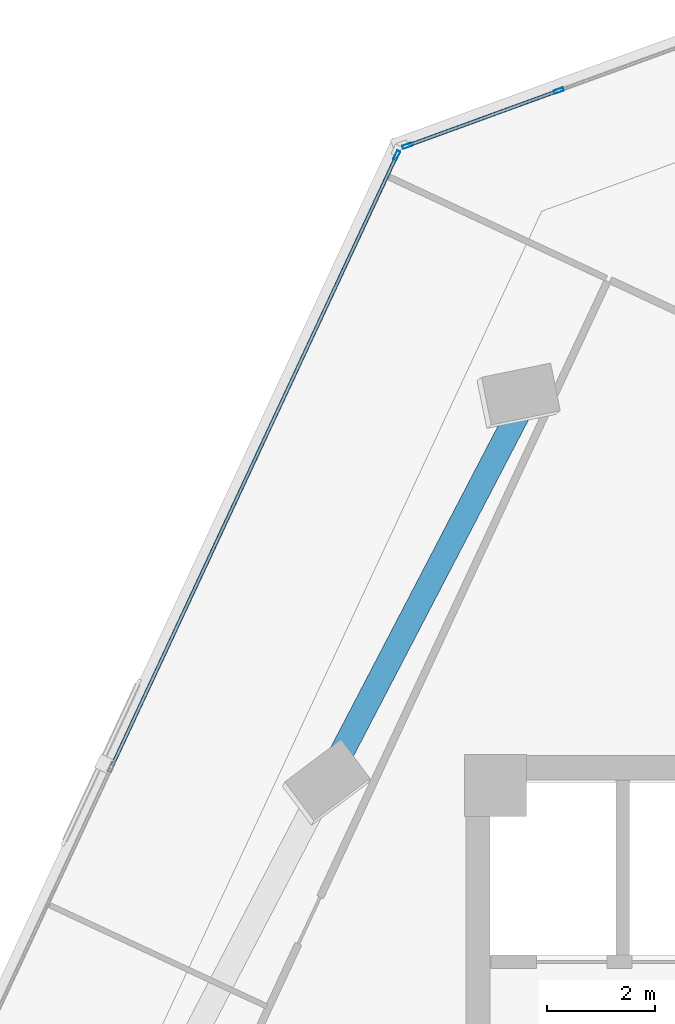
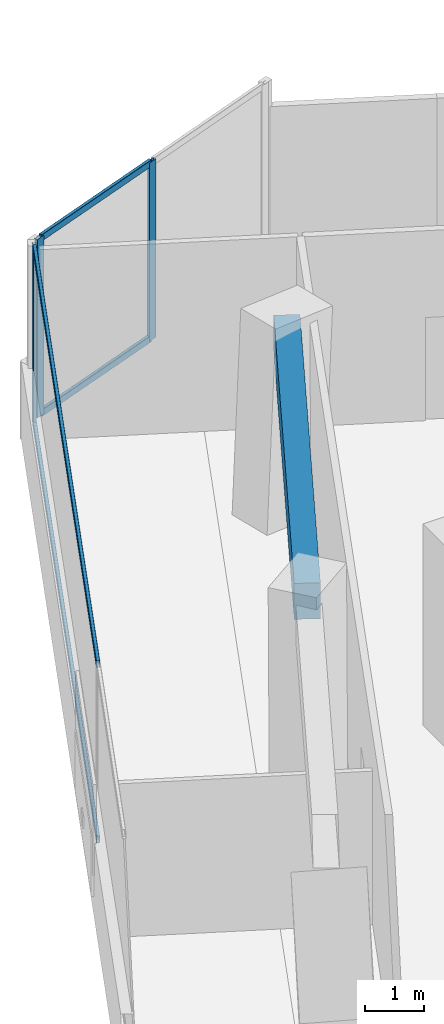
# One storey, part 11 of 21: 7 members, 1 beam, 2 elements without a shape of their own.
"""IFC4 building model written with IfcOpenShell, lengths in metres."""

from ifc_helpers import new_model, si_unit, direction, frame, origin, origin_2d, place, context, subcontext, project, spatial, rectangle, hollow_rectangle, extrude, source, transform, mapped, material, material_profile, profile_set, type_object, element, aggregate, save


model = new_model("IFC4")

# Units and contexts
model_context = context("Model", 3, precision=1e-05, world=origin(), true_north=direction((0.0, 1.0)))
body_context = subcontext(model_context, "Body", "Model", "MODEL_VIEW")
ifc_project = project(units=[si_unit("LENGTHUNIT", "METRE"), si_unit("AREAUNIT", "SQUARE_METRE"), si_unit("VOLUMEUNIT", "CUBIC_METRE"), si_unit("PLANEANGLEUNIT", "RADIAN"), si_unit("MASSUNIT", "GRAM", prefix="KILO")], contexts=[model_context])

# Site, building, storey
site_placement = place(None, origin())
site = spatial("IfcSite", under=ifc_project, at=site_placement, CompositionType="ELEMENT")
building_placement = place(site_placement, origin())
building = spatial("IfcBuilding", under=site, at=building_placement, Name="Torre Montelarca", CompositionType="ELEMENT")
storey_placement = place(building_placement, frame((0.0, 0.0, 162.39990234375)))
storey = spatial("IfcBuildingStorey", under=building, at=storey_placement, Name="L36", CompositionType="ELEMENT", Elevation=162.39990234375)

# Beam
ifc_material_1 = material(Name="Concrete C55/67", Category="concrete")
ifc_material_profile_1 = material_profile(ifc_material_1, rectangle(XDim=0.449951171875, YDim=0.75, at=origin_2d()), Name="RCB450X750", Category="concrete")
ifc_profile_set_1 = profile_set([ifc_material_profile_1], Name="Concrete C55/67")
beam_type = type_object("IfcBeamType", Name="BM-SP-RC750-EXT", PredefinedType="SPANDREL", material=ifc_profile_set_1)
shared_shape_1 = source(origin(), body_context, "Body", "SweptSolid", [
    extrude(rectangle(XDim=0.449951171875, YDim=0.75, at=origin_2d()), origin(), (0.0, 0.0, 1.0), 8.0),
])
beam_placement = place(storey_placement, frame((6.553955078125, 39.780517578125, 3.585205078125), z_axis=(0.461729359084, 0.887020855989, 0.0), x_axis=(-0.887020855989, 0.461729359084, 0.0)))
element("IfcBeam", 1, at=beam_placement, inside=storey, type_object=beam_type, Name="L36 Grid Girder Y 32.0-40.0 at X=4.7", PredefinedType="SPANDREL", context=body_context, shape_type="MappedRepresentation", body=[
    mapped(shared_shape_1, transform((0.0, 0.0, 0.0), scale=1.0)),
])

# Curtain wall, members
ifc_material_2 = material(Name="Insulated low-E laminated glass", Category="glass")
curtain_wall_type = type_object("IfcCurtainWallType", Name="CW-SYS-Z2", PredefinedType="USERDEFINED", material=ifc_material_2)
curtain_wall_1_placement = place(storey_placement, origin())
curtain_wall_1 = element("IfcCurtainWall", 2, at=curtain_wall_1_placement, inside=storey, type_object=curtain_wall_type, Name="L36 Curtain Wall Run CW-T3-L36-E09-B1", ObjectType="UNITISED GLAZING", PredefinedType="USERDEFINED")
ifc_material_3 = material(Name="Anodised aluminium AA 6063-T6", Category="aluminium")
ifc_material_profile_2 = material_profile(ifc_material_3, hollow_rectangle(XDim=0.06494140625, YDim=0.139892578125, WallThickness=0.00390625, InnerFilletRadius=0.00390625, OuterFilletRadius=0.008056640625, at=origin_2d()), Name="ALU65X140X4", Category="aluminium")
ifc_profile_set_2 = profile_set([ifc_material_profile_2], Name="Anodised aluminium AA 6063-T6")
member_type_1 = type_object("IfcMemberType", Name="CWT-ALU140", PredefinedType="USERDEFINED", material=ifc_profile_set_2)
shared_shape_2 = source(origin(), body_context, "Body", "SweptSolid", [
    extrude(hollow_rectangle(XDim=0.06494140625, YDim=0.139892578125, WallThickness=0.00390625, InnerFilletRadius=0.00390625, OuterFilletRadius=0.008056640625, at=origin_2d()), origin(), (0.0, 0.0, 1.0), 2.91845703125),
])
member_1_placement = place(storey_placement, frame((10.68798828125, 52.30712890625, 0.03271484375), z_axis=(-0.939678576029, -0.342058728513, 0.0), x_axis=(0.342058728513, -0.939678576029, 0.0)))
member_1 = element("IfcMember", 3, at=member_1_placement, type_object=member_type_1, Name="CW transom 2.1", ObjectType="TRANSOM", PredefinedType="USERDEFINED", context=body_context, shape_type="MappedRepresentation", body=[
    mapped(shared_shape_2, transform((0.0, 0.0, 0.0), scale=1.0)),
])
member_2_placement = place(storey_placement, frame((10.68798828125, 52.30712890625, 3.6875), z_axis=(-0.939678576029, -0.342058728513, 0.0), x_axis=(0.342058728513, -0.939678576029, 0.0)))
member_2 = element("IfcMember", 4, at=member_2_placement, type_object=member_type_1, Name="CW transom 2.2", ObjectType="TRANSOM", PredefinedType="USERDEFINED", context=body_context, shape_type="MappedRepresentation", body=[
    mapped(shared_shape_2, transform((0.0, 0.0, 0.0), scale=1.0)),
])

curtain_wall_2_placement = place(storey_placement, origin())
curtain_wall_2 = element("IfcCurtainWall", 5, at=curtain_wall_2_placement, inside=storey, type_object=curtain_wall_type, Name="L36 Curtain Wall Run CW-T3-L36-E10-B1", ObjectType="UNITISED GLAZING", PredefinedType="USERDEFINED")
shared_shape_3 = source(origin(), body_context, "Body", "SweptSolid", [
    extrude(hollow_rectangle(XDim=0.06494140625, YDim=0.139892578125, WallThickness=0.00390625, InnerFilletRadius=0.00390625, OuterFilletRadius=0.008056640625, at=origin_2d()), origin(), (0.0, 0.0, 1.0), 12.436767578125),
])
member_3_placement = place(storey_placement, frame((7.704345703125, 51.087890625, 0.03271484375), z_axis=(-0.422610329059, -0.906311486065, 0.0), x_axis=(0.906311486065, -0.422610329059, 0.0)))
member_3 = element("IfcMember", 6, at=member_3_placement, type_object=member_type_1, Name="CW transom 1.1", ObjectType="TRANSOM", PredefinedType="USERDEFINED", context=body_context, shape_type="MappedRepresentation", body=[
    mapped(shared_shape_3, transform((0.0, 0.0, 0.0), scale=1.0)),
])
member_4_placement = place(storey_placement, frame((7.704345703125, 51.087890625, 3.6875), z_axis=(-0.422610329059, -0.906311486065, 0.0), x_axis=(0.906311486065, -0.422610329059, 0.0)))
member_4 = element("IfcMember", 7, at=member_4_placement, type_object=member_type_1, Name="CW transom 1.2", ObjectType="TRANSOM", PredefinedType="USERDEFINED", context=body_context, shape_type="MappedRepresentation", body=[
    mapped(shared_shape_3, transform((0.0, 0.0, 0.0), scale=1.0)),
])

# Member
ifc_material_profile_3 = material_profile(ifc_material_3, hollow_rectangle(XDim=0.06494140625, YDim=0.179931640625, WallThickness=0.00390625, InnerFilletRadius=0.00390625, OuterFilletRadius=0.008056640625, at=origin_2d()), Name="ALU65X180X4", Category="aluminium")
ifc_profile_set_3 = profile_set([ifc_material_profile_3], Name="Anodised aluminium AA 6063-T6")
member_type_2 = type_object("IfcMemberType", Name="CWM-ALU180", PredefinedType="MULLION", material=ifc_profile_set_3)
shared_shape_4 = source(origin(), body_context, "Body", "SweptSolid", [
    extrude(hollow_rectangle(XDim=0.06494140625, YDim=0.179931640625, WallThickness=0.00390625, InnerFilletRadius=0.00390625, OuterFilletRadius=0.008056640625, at=origin_2d()), origin(), (0.0, 0.0, 1.0), 3.72021484375),
])
member_5_placement = place(storey_placement, frame((10.71875, 52.318115234375, 0.0), z_axis=(0.0, 0.0, 1.0), x_axis=(0.342021244323, -0.939692220055, 0.0)))
member_5 = element("IfcMember", 8, at=member_5_placement, type_object=member_type_2, Name="CW mullion 2", PredefinedType="MULLION", context=body_context, shape_type="MappedRepresentation", body=[
    mapped(shared_shape_4, transform((0.0, 0.0, 0.0), scale=1.0)),
])

member_6_placement = place(storey_placement, frame((7.9150390625, 51.297607421875, 0.0), z_axis=(0.0, 0.0, 1.0), x_axis=(0.342021244323, -0.939692220055, 0.0)))
member_6 = element("IfcMember", 9, at=member_6_placement, type_object=member_type_2, Name="CW mullion 3", PredefinedType="MULLION", context=body_context, shape_type="MappedRepresentation", body=[
    mapped(shared_shape_4, transform((0.0, 0.0, 0.0), scale=1.0)),
])

aggregate(curtain_wall_1, [member_5, member_6, member_1, member_2])

member_7_placement = place(storey_placement, frame((7.718017578125, 51.117431640625, 0.0), z_axis=(0.0, 0.0, 1.0), x_axis=(0.906309673549, -0.422614216079, 0.0)))
member_7 = element("IfcMember", 10, at=member_7_placement, type_object=member_type_2, Name="CW mullion 1", PredefinedType="MULLION", context=body_context, shape_type="MappedRepresentation", body=[
    mapped(shared_shape_4, transform((0.0, 0.0, 0.0), scale=1.0)),
])

aggregate(curtain_wall_2, [member_7, member_3, member_4])

save(model, "model.ifc")
